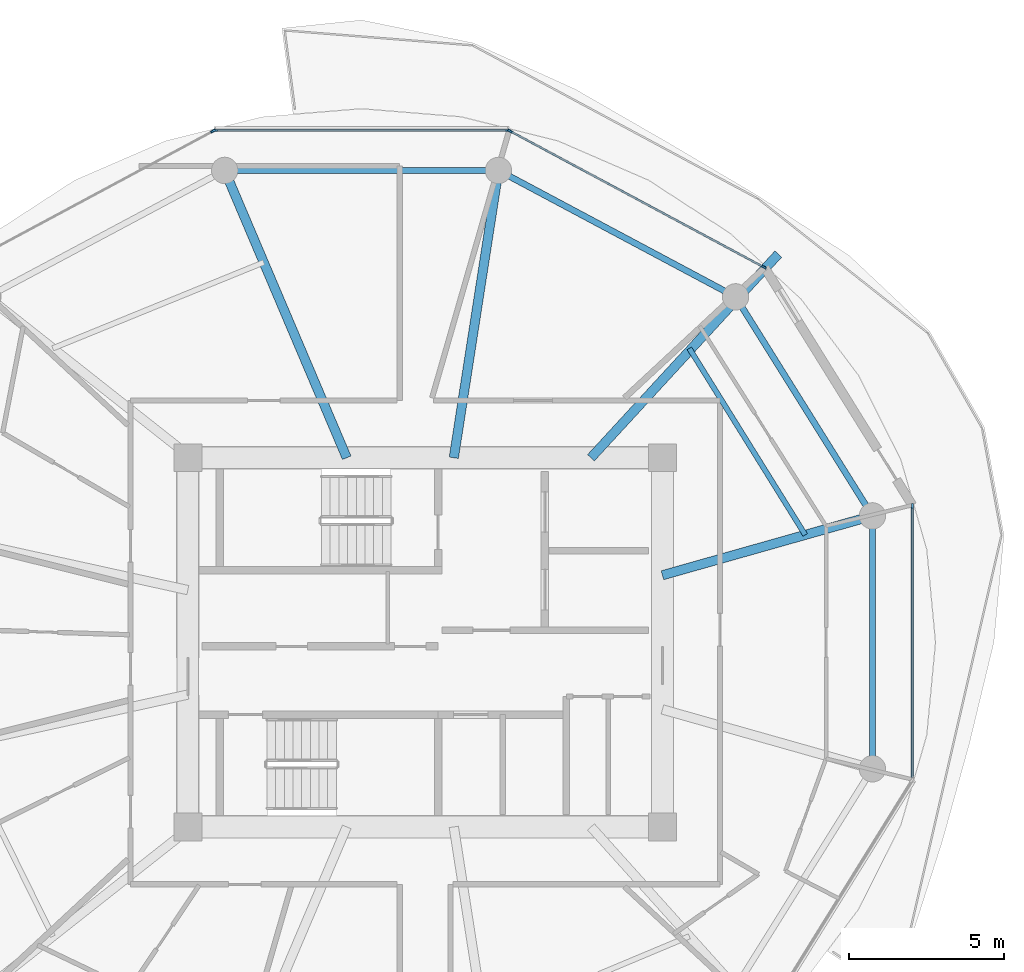
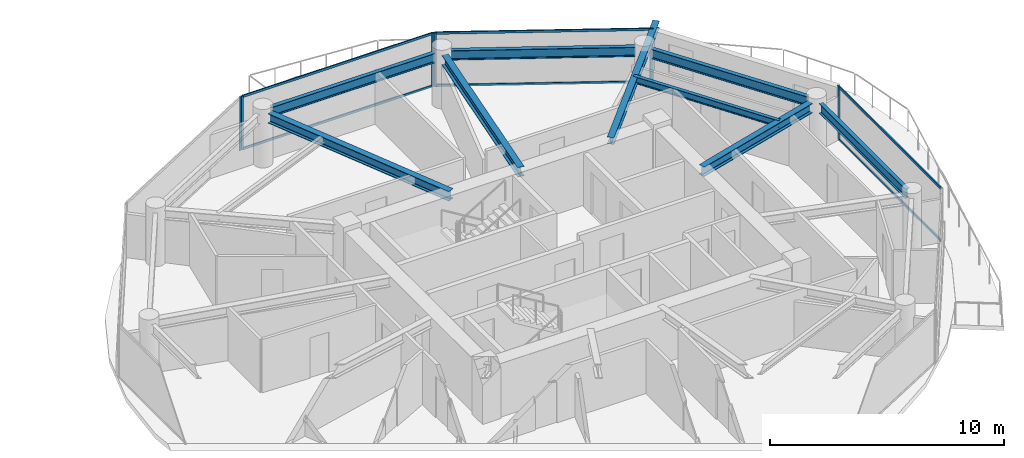
# One storey, part 11 of 24: 12 members, 9 beams, 4 elements without a shape of their own.
"""IFC4 building model written with IfcOpenShell, lengths in metres."""

from ifc_helpers import new_model, si_unit, direction, frame, origin, origin_2d, place, context, subcontext, project, spatial, rectangle, i_section, extrude, source, transform, mapped, material, layer, layer_set, material_profile, profile_set, type_object, type_shapes, element, aggregate, save


model = new_model("IFC4")

# Units and contexts
model_context = context("Model", 3, precision=1e-05, world=origin(), true_north=direction((0.0, 1.0)))
body_context = subcontext(model_context, "Body", "Model", "MODEL_VIEW")
ifc_project = project(units=[si_unit("LENGTHUNIT", "METRE"), si_unit("AREAUNIT", "SQUARE_METRE"), si_unit("VOLUMEUNIT", "CUBIC_METRE"), si_unit("PLANEANGLEUNIT", "RADIAN"), si_unit("MASSUNIT", "GRAM", prefix="KILO")], contexts=[model_context])

# Site, building, storey
site_placement = place(None, origin())
site = spatial("IfcSite", under=ifc_project, at=site_placement, CompositionType="ELEMENT")
building_placement = place(site_placement, origin())
building = spatial("IfcBuilding", under=site, at=building_placement, Name="Norrkilde Senior Care Towers", CompositionType="ELEMENT")
storey_placement = place(building_placement, frame((0.0, 0.0, 105.39990234375)))
storey = spatial("IfcBuildingStorey", under=building, at=storey_placement, Name="L32", CompositionType="ELEMENT", Elevation=105.39990234375)

# Beams
ifc_material_1 = material(Name="Steel S355", Category="steel")
ifc_material_profile_1 = material_profile(ifc_material_1, i_section(OverallWidth=0.199951171875, OverallDepth=0.5, WebThickness=0.01025390625, FlangeThickness=0.01611328125, FilletRadius=0.02099609375, at=origin_2d()), Name="IPE 500")
ifc_profile_set_1 = profile_set([ifc_material_profile_1], Name="Steel S355")
beam_type_1 = type_object("IfcBeamType", Name="Perimeter Ring Spandrel Z2 IPE500", PredefinedType="SPANDREL", material=ifc_profile_set_1)
shared_shape_1 = source(origin(), body_context, "Body", "SweptSolid", [
    extrude(i_section(OverallWidth=0.199951171875, OverallDepth=0.5, WebThickness=0.01025390625, FlangeThickness=0.01611328125, FilletRadius=0.02099609375, at=origin_2d()), origin(), (0.0, 0.0, 1.0), 7.892333984375),
])
beam_1_placement = place(storey_placement, frame((37.66650390625, 11.318115234375, 2.5400390625), z_axis=(-0.882350372282, 0.47059305194, 0.0), x_axis=(-0.47059305194, -0.882350372282, 0.0)))
element("IfcBeam", 1, at=beam_1_placement, inside=storey, type_object=beam_type_1, Name="L32 Drum E Perimeter Spandrel 02", PredefinedType="SPANDREL", context=body_context, shape_type="MappedRepresentation", body=[
    mapped(shared_shape_1, transform((0.0, 0.0, 0.0), x_axis=(1.0, 0.0, 0.0), y_axis=(0.0, 1.0, 0.0), z_axis=(0.0, 0.0, 1.0), scale=1.0)),
])
shared_shape_2 = source(origin(), body_context, "Body", "SweptSolid", [
    extrude(i_section(OverallWidth=0.199951171875, OverallDepth=0.5, WebThickness=0.01025390625, FlangeThickness=0.01611328125, FilletRadius=0.02099609375, at=origin_2d()), origin(), (0.0, 0.0, 1.0), 8.0556640625),
])
beam_2_placement = place(storey_placement, frame((29.977783203125, 15.21337890625, 2.5400390625), z_axis=(-1.0, 0.0, 0.0), x_axis=(0.0, -1.0, 0.0)))
element("IfcBeam", 2, at=beam_2_placement, inside=storey, type_object=beam_type_1, Name="L32 Drum E Perimeter Spandrel 03", PredefinedType="SPANDREL", context=body_context, shape_type="MappedRepresentation", body=[
    mapped(shared_shape_2, transform((0.0, 0.0, 0.0), x_axis=(1.0, 0.0, 0.0), y_axis=(0.0, 1.0, 0.0), z_axis=(0.0, 0.0, 1.0), scale=1.0)),
])
ifc_material_profile_2 = material_profile(ifc_material_1, i_section(OverallWidth=0.300048828125, OverallDepth=0.5, WebThickness=0.014404296875, FlangeThickness=0.028076171875, FilletRadius=0.027099609375, at=origin_2d()), Name="HEB 500")
ifc_profile_set_2 = profile_set([ifc_material_profile_2], Name="Steel S355")
beam_type_2 = type_object("IfcBeamType", Name="Radial Floor Beam Z2 HEB500", PredefinedType="BEAM", material=ifc_profile_set_2)
shared_shape_3 = source(origin(), body_context, "Body", "SweptSolid", [
    extrude(i_section(OverallWidth=0.300048828125, OverallDepth=0.5, WebThickness=0.014404296875, FlangeThickness=0.028076171875, FilletRadius=0.027099609375, at=origin_2d()), origin(), (0.0, 0.0, 1.0), 9.679443359375),
])
beam_3_placement = place(storey_placement, frame((25.472412109375, 5.949951171875, 2.5400390625), z_axis=(-0.390998033479, 0.920391513333, 0.0), x_axis=(-0.920391513333, -0.390998033479, 0.0)))
element("IfcBeam", 3, at=beam_3_placement, inside=storey, type_object=beam_type_2, Name="L32 Drum E Radial Floor Beam 04", PredefinedType="BEAM", context=body_context, shape_type="MappedRepresentation", body=[
    mapped(shared_shape_3, transform((0.0, 0.0, 0.0), x_axis=(1.0, 0.0, 0.0), y_axis=(0.0, 1.0, 0.0), z_axis=(0.0, 0.0, 1.0), scale=1.0)),
])
shared_shape_4 = source(origin(), body_context, "Body", "SweptSolid", [
    extrude(i_section(OverallWidth=0.300048828125, OverallDepth=0.5, WebThickness=0.014404296875, FlangeThickness=0.028076171875, FilletRadius=0.027099609375, at=origin_2d()), origin(), (0.0, 0.0, 1.0), 8.989501953125),
])
beam_4_placement = place(storey_placement, frame((28.924072265625, 5.949951171875, 2.5400390625), z_axis=(0.153471298636, 0.988153105796, 0.0), x_axis=(-0.988153105796, 0.153471298636, 0.0)))
element("IfcBeam", 4, at=beam_4_placement, inside=storey, type_object=beam_type_2, Name="L32 Drum E Radial Floor Beam 03", PredefinedType="BEAM", context=body_context, shape_type="MappedRepresentation", body=[
    mapped(shared_shape_4, transform((0.0, 0.0, 0.0), x_axis=(1.0, 0.0, 0.0), y_axis=(0.0, 1.0, 0.0), z_axis=(0.0, 0.0, 1.0), scale=1.0)),
])
shared_shape_5 = source(origin(), body_context, "Body", "SweptSolid", [
    extrude(i_section(OverallWidth=0.199951171875, OverallDepth=0.5, WebThickness=0.01025390625, FlangeThickness=0.01611328125, FilletRadius=0.02099609375, at=origin_2d()), origin(), (0.0, 0.0, 1.0), 7.556396484375),
])
beam_5_placement = place(storey_placement, frame((42.215087890625, 4.40283203125, 2.5400390625), z_axis=(-0.530004748437, 0.847994673706, 0.0), x_axis=(-0.847994673706, -0.530004748437, 0.0)))
element("IfcBeam", 5, at=beam_5_placement, inside=storey, type_object=beam_type_1, Name="L32 Drum E Perimeter Spandrel 01", PredefinedType="SPANDREL", context=body_context, shape_type="MappedRepresentation", body=[
    mapped(shared_shape_5, transform((0.0, 0.0, 0.0), x_axis=(1.0, 0.0, 0.0), y_axis=(0.0, 1.0, 0.0), z_axis=(0.0, 0.0, 1.0), scale=1.0)),
])
shared_shape_6 = source(origin(), body_context, "Body", "SweptSolid", [
    extrude(i_section(OverallWidth=0.199951171875, OverallDepth=0.5, WebThickness=0.01025390625, FlangeThickness=0.01611328125, FilletRadius=0.02099609375, at=origin_2d()), origin(), (0.0, 0.0, 1.0), 7.3828125),
])
type_shapes(beam_type_1, [shared_shape_1, shared_shape_2, shared_shape_5, shared_shape_6])
beam_6_placement = place(storey_placement, frame((42.4189453125, -3.69140625, 2.5400390625), z_axis=(0.0, 1.0, 0.0), x_axis=(-1.0, 0.0, 0.0)))
element("IfcBeam", 6, at=beam_6_placement, inside=storey, type_object=beam_type_1, Name="L32 Drum E Perimeter Spandrel 12", PredefinedType="SPANDREL", context=body_context, shape_type="MappedRepresentation", body=[
    mapped(shared_shape_6, transform((0.0, 0.0, 0.0), x_axis=(1.0, 0.0, 0.0), y_axis=(0.0, 1.0, 0.0), z_axis=(0.0, 0.0, 1.0), scale=1.0)),
])
shared_shape_7 = source(origin(), body_context, "Body", "SweptSolid", [
    extrude(i_section(OverallWidth=0.300048828125, OverallDepth=0.5, WebThickness=0.014404296875, FlangeThickness=0.028076171875, FilletRadius=0.027099609375, at=origin_2d()), origin(), (0.0, 0.0, 1.0), 6.6494140625),
])
type_shapes(beam_type_2, [shared_shape_3, shared_shape_4, shared_shape_7])
beam_7_placement = place(storey_placement, frame((35.64990234375, 2.162841796875, 2.5400390625), z_axis=(0.962289138357, 0.27202870106, 0.0), x_axis=(-0.27202870106, 0.962289138357, 0.0)))
element("IfcBeam", 7, at=beam_7_placement, inside=storey, type_object=beam_type_2, Name="L32 Drum E Radial Floor Beam 01", PredefinedType="BEAM", context=body_context, shape_type="MappedRepresentation", body=[
    mapped(shared_shape_7, transform((0.0, 0.0, 0.0), x_axis=(1.0, 0.0, 0.0), y_axis=(0.0, 1.0, 0.0), z_axis=(0.0, 0.0, 1.0), scale=1.0)),
])
ifc_material_profile_3 = material_profile(ifc_material_1, i_section(OverallWidth=0.169921875, OverallDepth=0.360107421875, WebThickness=0.008056640625, FlangeThickness=0.0126953125, FilletRadius=0.01806640625, at=origin_2d()), Name="IPE 360")
ifc_profile_set_3 = profile_set([ifc_material_profile_3], Name="Steel S355")
beam_type_3 = type_object("IfcBeamType", Name="Secondary Floor Joist IPE360", PredefinedType="JOIST", material=ifc_profile_set_3)
shared_shape_8 = source(origin(), body_context, "Body", "SweptSolid", [
    extrude(i_section(OverallWidth=0.169921875, OverallDepth=0.360107421875, WebThickness=0.008056640625, FlangeThickness=0.0126953125, FilletRadius=0.01806640625, at=origin_2d()), origin(), (0.0, 0.0, 1.0), 7.080078125),
])
type_shapes(beam_type_3, [shared_shape_8])
beam_8_placement = place(storey_placement, frame((40.2529296875, 3.464111328125, 2.610107421875), z_axis=(-0.527961009189, 0.849268610497, 0.0), x_axis=(-0.849268610497, -0.527961009189, 0.0)))
element("IfcBeam", 8, at=beam_8_placement, inside=storey, type_object=beam_type_3, Name="L32 Drum E Secondary Floor Joist 1", PredefinedType="JOIST", context=body_context, shape_type="MappedRepresentation", body=[
    mapped(shared_shape_8, transform((0.0, 0.0, 0.0), x_axis=(1.0, 0.0, 0.0), y_axis=(0.0, 1.0, 0.0), z_axis=(0.0, 0.0, 1.0), scale=1.0)),
])
ifc_material_profile_4 = material_profile(ifc_material_1, i_section(OverallWidth=0.300048828125, OverallDepth=0.360107421875, WebThickness=0.012451171875, FlangeThickness=0.0224609375, FilletRadius=0.027099609375, at=origin_2d()), Name="HEB 360")
ifc_profile_set_4 = profile_set([ifc_material_profile_4], Name="Steel S355")
beam_type_4 = type_object("IfcBeamType", Name="Balcony Crest Cantilever Rib HEB360", PredefinedType="BEAM", material=ifc_profile_set_4)
shared_shape_9 = source(origin(), body_context, "Body", "SweptSolid", [
    extrude(i_section(OverallWidth=0.300048828125, OverallDepth=0.360107421875, WebThickness=0.012451171875, FlangeThickness=0.0224609375, FilletRadius=0.027099609375, at=origin_2d()), origin(), (0.0, 0.0, 1.0), 8.9208984375),
])
type_shapes(beam_type_4, [shared_shape_9])
beam_9_placement = place(storey_placement, frame((33.345947265625, 5.949951171875, 2.610107421875), z_axis=(0.67696047822, 0.736019368582, 0.0), x_axis=(-0.736019368582, 0.67696047822, 0.0)))
element("IfcBeam", 9, at=beam_9_placement, inside=storey, type_object=beam_type_4, Name="L32 Drum E Balcony Cantilever Rib", PredefinedType="BEAM", context=body_context, shape_type="MappedRepresentation", body=[
    mapped(shared_shape_9, transform((0.0, 0.0, 0.0), x_axis=(1.0, 0.0, 0.0), y_axis=(0.0, 1.0, 0.0), z_axis=(0.0, 0.0, 1.0), scale=1.0)),
])

# Curtain wall, members
ifc_material_2 = material(Name="Triple Low-E Insulated Glazing", Category="glass")
ifc_layer = layer(ifc_material_2, 0.195068359375)
ifc_layer_set = layer_set([ifc_layer], Name="Triple Low-E Insulated Glazing")
curtain_wall_type = type_object("IfcCurtainWallType", Name="CW3 Zone 2 Assisted Living Curtain Wall", PredefinedType="NOTDEFINED", material=ifc_layer_set)
curtain_wall_1_placement = place(storey_placement, origin())
curtain_wall_1 = element("IfcCurtainWall", 10, at=curtain_wall_1_placement, inside=storey, type_object=curtain_wall_type, Name="L32 Drum E Curtain Wall 01", PredefinedType="NOTDEFINED")
ifc_material_3 = material(Name="Anodised Aluminium", Category="aluminium")
ifc_material_profile_5 = material_profile(ifc_material_3, rectangle(XDim=0.06494140625, YDim=0.159912109375, at=origin_2d()), Name="ALU MULL 65x160")
ifc_profile_set_5 = profile_set([ifc_material_profile_5], Name="Anodised Aluminium")
member_type_1 = type_object("IfcMemberType", Name="Curtain Wall Mullion Z1-Z2 65x160", PredefinedType="MULLION", material=ifc_profile_set_5)
shared_shape_10 = source(origin(), body_context, "Body", "SweptSolid", [
    extrude(rectangle(XDim=0.06494140625, YDim=0.159912109375, at=origin_2d()), origin(), (0.0, 0.0, 1.0), 2.7900390625),
])
type_shapes(member_type_1, [shared_shape_10])
member_1_placement = place(storey_placement, frame((30.73583984375, 16.482666015625, 0.0), z_axis=(0.0, 0.0, 1.0), x_axis=(0.472769402511, 0.881186184668, 0.0)))
member_1 = element("IfcMember", 11, at=member_1_placement, type_object=member_type_1, Name="CW-3 mullion 1", PredefinedType="MULLION", context=body_context, shape_type="MappedRepresentation", body=[
    mapped(shared_shape_10, transform((0.0, 0.0, 0.0), x_axis=(1.0, 0.0, 0.0), y_axis=(0.0, 1.0, 0.0), z_axis=(0.0, 0.0, 1.0), scale=1.0)),
])
member_2_placement = place(storey_placement, frame((38.91796875, 12.0927734375, 0.0), z_axis=(0.0, 0.0, 1.0), x_axis=(0.472769402511, 0.881186184668, 0.0)))
member_2 = element("IfcMember", 12, at=member_2_placement, type_object=member_type_1, Name="CW-3 mullion 2", PredefinedType="MULLION", context=body_context, shape_type="MappedRepresentation", body=[
    mapped(shared_shape_10, transform((0.0, 0.0, 0.0), x_axis=(1.0, 0.0, 0.0), y_axis=(0.0, 1.0, 0.0), z_axis=(0.0, 0.0, 1.0), scale=1.0)),
])

curtain_wall_2_placement = place(storey_placement, origin())
curtain_wall_2 = element("IfcCurtainWall", 13, at=curtain_wall_2_placement, inside=storey, type_object=curtain_wall_type, Name="L32 Drum E Curtain Wall 02", PredefinedType="NOTDEFINED")
member_3_placement = place(storey_placement, frame((21.225341796875, 16.498046875, 0.0), z_axis=(0.0, 0.0, 1.0), x_axis=(0.0, 1.0, 0.0)))
member_3 = element("IfcMember", 14, at=member_3_placement, type_object=member_type_1, Name="CW-3 mullion 1", PredefinedType="MULLION", context=body_context, shape_type="MappedRepresentation", body=[
    mapped(shared_shape_10, transform((0.0, 0.0, 0.0), x_axis=(1.0, 0.0, 0.0), y_axis=(0.0, 1.0, 0.0), z_axis=(0.0, 0.0, 1.0), scale=1.0)),
])
member_4_placement = place(storey_placement, frame((30.674560546875, 16.498046875, 0.0), z_axis=(0.0, 0.0, 1.0), x_axis=(0.0, 1.0, 0.0)))
member_4 = element("IfcMember", 15, at=member_4_placement, type_object=member_type_1, Name="CW-3 mullion 2", PredefinedType="MULLION", context=body_context, shape_type="MappedRepresentation", body=[
    mapped(shared_shape_10, transform((0.0, 0.0, 0.0), x_axis=(1.0, 0.0, 0.0), y_axis=(0.0, 1.0, 0.0), z_axis=(0.0, 0.0, 1.0), scale=1.0)),
])

# Curtain wall, member
curtain_wall_3_placement = place(storey_placement, origin())
curtain_wall_3 = element("IfcCurtainWall", 16, at=curtain_wall_3_placement, inside=storey, type_object=curtain_wall_type, Name="L32 Drum E Curtain Wall 03", PredefinedType="NOTDEFINED")
member_5_placement = place(storey_placement, frame((21.164306640625, 16.482666015625, 0.0), z_axis=(0.0, 0.0, 1.0), x_axis=(-0.472769402511, 0.881186184668, 0.0)))
member_5 = element("IfcMember", 17, at=member_5_placement, type_object=member_type_1, Name="CW-3 mullion 2", PredefinedType="MULLION", context=body_context, shape_type="MappedRepresentation", body=[
    mapped(shared_shape_10, transform((0.0, 0.0, 0.0), x_axis=(1.0, 0.0, 0.0), y_axis=(0.0, 1.0, 0.0), z_axis=(0.0, 0.0, 1.0), scale=1.0)),
])
aggregate(curtain_wall_3, [member_5])

curtain_wall_4_placement = place(storey_placement, origin())
curtain_wall_4 = element("IfcCurtainWall", 18, at=curtain_wall_4_placement, inside=storey, type_object=curtain_wall_type, Name="L32 Drum E Curtain Wall 11", PredefinedType="NOTDEFINED")
member_6_placement = place(storey_placement, frame((43.70361328125, 4.38818359375, 0.0), z_axis=(0.0, 0.0, 1.0), x_axis=(1.0, 0.0, 0.0)))
member_6 = element("IfcMember", 19, at=member_6_placement, type_object=member_type_1, Name="CW-3 mullion 1", PredefinedType="MULLION", context=body_context, shape_type="MappedRepresentation", body=[
    mapped(shared_shape_10, transform((0.0, 0.0, 0.0), x_axis=(1.0, 0.0, 0.0), y_axis=(0.0, 1.0, 0.0), z_axis=(0.0, 0.0, 1.0), scale=1.0)),
])

# Member
ifc_material_profile_6 = material_profile(ifc_material_3, rectangle(XDim=0.06005859375, YDim=0.1201171875, at=origin_2d()), Name="ALU TRAN 60x120")
ifc_profile_set_6 = profile_set([ifc_material_profile_6], Name="Anodised Aluminium")
member_type_2 = type_object("IfcMemberType", Name="Curtain Wall Transom Typical 60x120", PredefinedType="USERDEFINED", material=ifc_profile_set_6)
shared_shape_11 = source(origin(), body_context, "Body", "SweptSolid", [
    extrude(rectangle(XDim=0.06005859375, YDim=0.1201171875, at=origin_2d()), origin(), (0.0, 0.0, 1.0), 9.220458984375),
])
member_7_placement = place(storey_placement, frame((30.764404296875, 16.46728515625, 0.030029296875), z_axis=(0.881188517866, -0.472765053681, 0.0), x_axis=(0.472765053681, 0.881188517866, 0.0)))
member_7 = element("IfcMember", 20, at=member_7_placement, type_object=member_type_2, Name="CW-3 transom 1.1", ObjectType="TRANSOM", PredefinedType="USERDEFINED", context=body_context, shape_type="MappedRepresentation", body=[
    mapped(shared_shape_11, transform((0.0, 0.0, 0.0), x_axis=(1.0, 0.0, 0.0), y_axis=(0.0, 1.0, 0.0), z_axis=(0.0, 0.0, 1.0), scale=1.0)),
])

member_8_placement = place(storey_placement, frame((30.764404296875, 16.46728515625, 2.760009765625), z_axis=(0.881188517866, -0.472765053681, 0.0), x_axis=(0.472765053681, 0.881188517866, 0.0)))
member_8 = element("IfcMember", 21, at=member_8_placement, type_object=member_type_2, Name="CW-3 transom 1.2", ObjectType="TRANSOM", PredefinedType="USERDEFINED", context=body_context, shape_type="MappedRepresentation", body=[
    mapped(shared_shape_11, transform((0.0, 0.0, 0.0), x_axis=(1.0, 0.0, 0.0), y_axis=(0.0, 1.0, 0.0), z_axis=(0.0, 0.0, 1.0), scale=1.0)),
])

aggregate(curtain_wall_1, [member_1, member_2, member_7, member_8])

shared_shape_12 = source(origin(), body_context, "Body", "SweptSolid", [
    extrude(rectangle(XDim=0.06005859375, YDim=0.1201171875, at=origin_2d()), origin(), (0.0, 0.0, 1.0), 9.38427734375),
])
member_9_placement = place(storey_placement, frame((21.2578125, 16.498046875, 0.030029296875), z_axis=(1.0, 0.0, 0.0), x_axis=(0.0, 1.0, 0.0)))
member_9 = element("IfcMember", 22, at=member_9_placement, type_object=member_type_2, Name="CW-3 transom 1.1", ObjectType="TRANSOM", PredefinedType="USERDEFINED", context=body_context, shape_type="MappedRepresentation", body=[
    mapped(shared_shape_12, transform((0.0, 0.0, 0.0), x_axis=(1.0, 0.0, 0.0), y_axis=(0.0, 1.0, 0.0), z_axis=(0.0, 0.0, 1.0), scale=1.0)),
])

member_10_placement = place(storey_placement, frame((21.2578125, 16.498046875, 2.760009765625), z_axis=(1.0, 0.0, 0.0), x_axis=(0.0, 1.0, 0.0)))
member_10 = element("IfcMember", 23, at=member_10_placement, type_object=member_type_2, Name="CW-3 transom 1.2", ObjectType="TRANSOM", PredefinedType="USERDEFINED", context=body_context, shape_type="MappedRepresentation", body=[
    mapped(shared_shape_12, transform((0.0, 0.0, 0.0), x_axis=(1.0, 0.0, 0.0), y_axis=(0.0, 1.0, 0.0), z_axis=(0.0, 0.0, 1.0), scale=1.0)),
])

aggregate(curtain_wall_2, [member_3, member_4, member_9, member_10])

shared_shape_13 = source(origin(), body_context, "Body", "SweptSolid", [
    extrude(rectangle(XDim=0.06005859375, YDim=0.1201171875, at=origin_2d()), origin(), (0.0, 0.0, 1.0), 8.71142578125),
])
type_shapes(member_type_2, [shared_shape_11, shared_shape_12, shared_shape_13])
member_11_placement = place(storey_placement, frame((43.70361328125, 4.355712890625, 0.030029296875), z_axis=(0.0, -1.0, 0.0), x_axis=(1.0, 0.0, 0.0)))
member_11 = element("IfcMember", 24, at=member_11_placement, type_object=member_type_2, Name="CW-3 transom 1.1", ObjectType="TRANSOM", PredefinedType="USERDEFINED", context=body_context, shape_type="MappedRepresentation", body=[
    mapped(shared_shape_13, transform((0.0, 0.0, 0.0), x_axis=(1.0, 0.0, 0.0), y_axis=(0.0, 1.0, 0.0), z_axis=(0.0, 0.0, 1.0), scale=1.0)),
])

member_12_placement = place(storey_placement, frame((43.70361328125, 4.355712890625, 2.760009765625), z_axis=(0.0, -1.0, 0.0), x_axis=(1.0, 0.0, 0.0)))
member_12 = element("IfcMember", 25, at=member_12_placement, type_object=member_type_2, Name="CW-3 transom 1.2", ObjectType="TRANSOM", PredefinedType="USERDEFINED", context=body_context, shape_type="MappedRepresentation", body=[
    mapped(shared_shape_13, transform((0.0, 0.0, 0.0), x_axis=(1.0, 0.0, 0.0), y_axis=(0.0, 1.0, 0.0), z_axis=(0.0, 0.0, 1.0), scale=1.0)),
])

aggregate(curtain_wall_4, [member_6, member_11, member_12])

save(model, "model.ifc")
